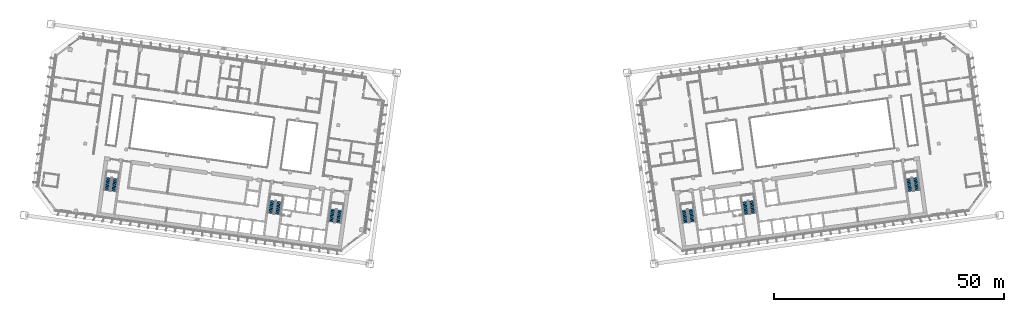
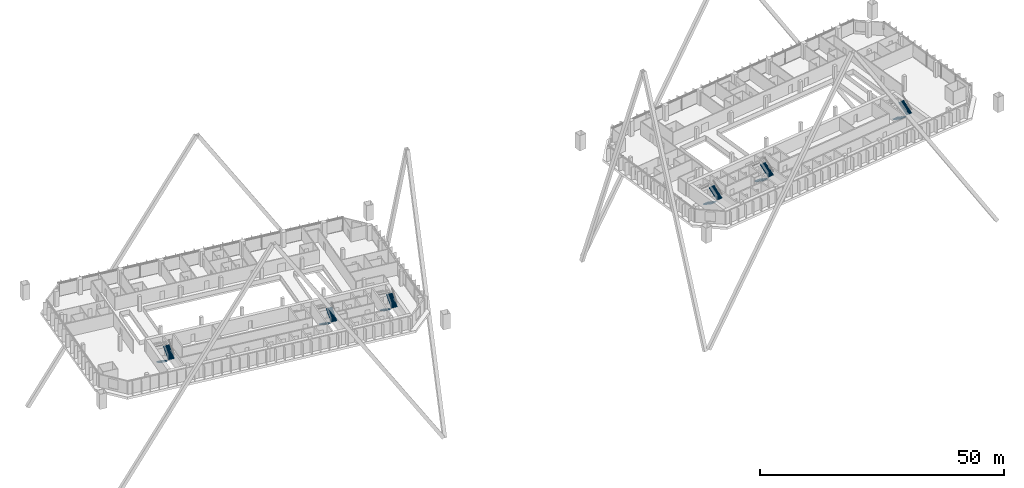
# One storey, part 38 of 41: 12 stair flights, 6 elements without a shape of their own.
"""IFC4 building model written with IfcOpenShell, lengths in metres."""

from ifc_helpers import new_model, si_unit, direction, frame, origin, place, context, subcontext, project, spatial, polyline, outline, extrude, material, type_object, element, aggregate, save


model = new_model("IFC4")

# Units and contexts
model_context = context("Model", 3, precision=1e-05, world=origin(), true_north=direction((0.0, 1.0)))
body_context = subcontext(model_context, "Body", "Model", "MODEL_VIEW")
ifc_project = project(units=[si_unit("LENGTHUNIT", "METRE"), si_unit("AREAUNIT", "SQUARE_METRE"), si_unit("VOLUMEUNIT", "CUBIC_METRE"), si_unit("PLANEANGLEUNIT", "RADIAN"), si_unit("MASSUNIT", "GRAM", prefix="KILO")], contexts=[model_context])

# Site, building, storey
site_placement = place(None, origin())
site = spatial("IfcSite", under=ifc_project, at=site_placement, CompositionType="ELEMENT")
building_placement = place(site_placement, origin())
building = spatial("IfcBuilding", under=site, at=building_placement, Name="Mirante Cascada Hotel Towers", CompositionType="ELEMENT")
storey_placement = place(building_placement, frame((0.0, 0.0, 125.3)))
storey = spatial("IfcBuildingStorey", under=building, at=storey_placement, Name="L28", CompositionType="ELEMENT", Elevation=125.3)

# Stair, stair flights
ifc_material_1 = material(Name="Concrete C35/45", Category="concrete")
stair_type = type_object("IfcStairType", Name="Exit stair half-turn 1350 concrete C35/45", PredefinedType="HALF_TURN_STAIR", material=ifc_material_1)
stair_1_placement = place(storey_placement, origin())
stair_1 = element("IfcStair", 1, at=stair_1_placement, inside=storey, type_object=stair_type, Name="L28 Exit stair A", PredefinedType="HALF_TURN_STAIR")
ifc_material_2 = material(Name="Concrete C35/45", Category="concrete")
stair_flight_type = type_object("IfcStairFlightType", Name="Exit stair flight 1350 concrete C35/45", PredefinedType="STRAIGHT", material=ifc_material_2)
stair_flight_1_placement = place(storey_placement, frame((-38.9417, -11.195, 0.0), z_axis=(0.0, 0.0, 1.0), x_axis=(-0.1391731, -0.9902681, 0.0)))
stair_flight_1 = element("IfcStairFlight", 2, at=stair_flight_1_placement, type_object=stair_flight_type, Name="ST1-A flight 1", NumberOfRisers=11, NumberOfTreads=10, PredefinedType="STRAIGHT", RiserHeight=0.172727273, TreadLength=0.28, context=body_context, shape_type="SweptSolid", body=[
    extrude(outline(polyline([(0.0, 0.0), (0.0, 0.1727), (0.28, 0.1727), (0.28, 0.3455), (0.56, 0.3455), (0.56, 0.5182), (0.84, 0.5182), (0.84, 0.6909), (1.12, 0.6909), (1.12, 0.8636), (1.4, 0.8636), (1.4, 1.0364), (1.68, 1.0364), (1.68, 1.2091), (1.96, 1.2091), (1.96, 1.3818), (2.24, 1.3818), (2.24, 1.5545), (2.52, 1.5545), (2.52, 1.7273), (2.8, 1.7273), (2.8, 1.9), (2.8, 1.551), (0.2857, 0.0), (0.0, 0.0)])), frame((0.0, 0.675, 0.0), z_axis=(0.0, -1.0, 0.0), x_axis=(1.0, 0.0, 0.0)), (0.0, 0.0, 1.0), 1.35),
])
stair_flight_2_placement = place(storey_placement, frame((-37.846, -14.1765, 1.9), z_axis=(0.0, 0.0, 1.0), x_axis=(0.1391731, 0.9902681, 0.0)))
stair_flight_2 = element("IfcStairFlight", 3, at=stair_flight_2_placement, type_object=stair_flight_type, Name="ST1-A flight 2", NumberOfRisers=11, NumberOfTreads=10, PredefinedType="STRAIGHT", RiserHeight=0.172727273, TreadLength=0.28, context=body_context, shape_type="SweptSolid", body=[
    extrude(outline(polyline([(0.0, 0.0), (0.0, 0.1727), (0.28, 0.1727), (0.28, 0.3455), (0.56, 0.3455), (0.56, 0.5182), (0.84, 0.5182), (0.84, 0.6909), (1.12, 0.6909), (1.12, 0.8636), (1.4, 0.8636), (1.4, 1.0364), (1.68, 1.0364), (1.68, 1.2091), (1.96, 1.2091), (1.96, 1.3818), (2.24, 1.3818), (2.24, 1.5545), (2.52, 1.5545), (2.52, 1.7273), (2.8, 1.7273), (2.8, 1.9), (2.8, 1.551), (0.2857, 0.0), (0.0, 0.0)])), frame((0.0, 0.675, 0.0), z_axis=(0.0, -1.0, 0.0), x_axis=(1.0, 0.0, 0.0)), (0.0, 0.0, 1.0), 1.35),
])
aggregate(stair_1, [stair_flight_1, stair_flight_2])

stair_2_placement = place(storey_placement, origin())
stair_2 = element("IfcStair", 4, at=stair_2_placement, inside=storey, type_object=stair_type, Name="L28 Exit stair B", PredefinedType="HALF_TURN_STAIR")
stair_flight_3_placement = place(storey_placement, frame((-52.1618, -9.3371, 0.0), z_axis=(0.0, 0.0, 1.0), x_axis=(-0.1391731, -0.9902681, 0.0)))
stair_flight_3 = element("IfcStairFlight", 5, at=stair_flight_3_placement, type_object=stair_flight_type, Name="ST1-B flight 1", NumberOfRisers=11, NumberOfTreads=10, PredefinedType="STRAIGHT", RiserHeight=0.172727273, TreadLength=0.28, context=body_context, shape_type="SweptSolid", body=[
    extrude(outline(polyline([(0.0, 0.0), (0.0, 0.1727), (0.28, 0.1727), (0.28, 0.3455), (0.56, 0.3455), (0.56, 0.5182), (0.84, 0.5182), (0.84, 0.6909), (1.12, 0.6909), (1.12, 0.8636), (1.4, 0.8636), (1.4, 1.0364), (1.68, 1.0364), (1.68, 1.2091), (1.96, 1.2091), (1.96, 1.3818), (2.24, 1.3818), (2.24, 1.5545), (2.52, 1.5545), (2.52, 1.7273), (2.8, 1.7273), (2.8, 1.9), (2.8, 1.551), (0.2857, 0.0), (0.0, 0.0)])), frame((0.0, 0.675, 0.0), z_axis=(0.0, -1.0, 0.0), x_axis=(1.0, 0.0, 0.0)), (0.0, 0.0, 1.0), 1.35),
])
stair_flight_4_placement = place(storey_placement, frame((-51.0661, -12.3186, 1.9), z_axis=(0.0, 0.0, 1.0), x_axis=(0.1391731, 0.9902681, 0.0)))
stair_flight_4 = element("IfcStairFlight", 6, at=stair_flight_4_placement, type_object=stair_flight_type, Name="ST1-B flight 2", NumberOfRisers=11, NumberOfTreads=10, PredefinedType="STRAIGHT", RiserHeight=0.172727273, TreadLength=0.28, context=body_context, shape_type="SweptSolid", body=[
    extrude(outline(polyline([(0.0, 0.0), (0.0, 0.1727), (0.28, 0.1727), (0.28, 0.3455), (0.56, 0.3455), (0.56, 0.5182), (0.84, 0.5182), (0.84, 0.6909), (1.12, 0.6909), (1.12, 0.8636), (1.4, 0.8636), (1.4, 1.0364), (1.68, 1.0364), (1.68, 1.2091), (1.96, 1.2091), (1.96, 1.3818), (2.24, 1.3818), (2.24, 1.5545), (2.52, 1.5545), (2.52, 1.7273), (2.8, 1.7273), (2.8, 1.9), (2.8, 1.551), (0.2857, 0.0), (0.0, 0.0)])), frame((0.0, 0.675, 0.0), z_axis=(0.0, -1.0, 0.0), x_axis=(1.0, 0.0, 0.0)), (0.0, 0.0, 1.0), 1.35),
])
aggregate(stair_2, [stair_flight_3, stair_flight_4])

stair_3_placement = place(storey_placement, origin())
stair_3 = element("IfcStair", 7, at=stair_3_placement, inside=storey, type_object=stair_type, Name="L28 Exit stair C", PredefinedType="HALF_TURN_STAIR")
stair_flight_5_placement = place(storey_placement, frame((-87.8115, -4.3268, 0.0), z_axis=(0.0, 0.0, 1.0), x_axis=(-0.1391731, -0.9902681, 0.0)))
stair_flight_5 = element("IfcStairFlight", 8, at=stair_flight_5_placement, type_object=stair_flight_type, Name="ST1-C flight 1", NumberOfRisers=11, NumberOfTreads=10, PredefinedType="STRAIGHT", RiserHeight=0.172727273, TreadLength=0.28, context=body_context, shape_type="SweptSolid", body=[
    extrude(outline(polyline([(0.0, 0.0), (0.0, 0.1727), (0.28, 0.1727), (0.28, 0.3455), (0.56, 0.3455), (0.56, 0.5182), (0.84, 0.5182), (0.84, 0.6909), (1.12, 0.6909), (1.12, 0.8636), (1.4, 0.8636), (1.4, 1.0364), (1.68, 1.0364), (1.68, 1.2091), (1.96, 1.2091), (1.96, 1.3818), (2.24, 1.3818), (2.24, 1.5545), (2.52, 1.5545), (2.52, 1.7273), (2.8, 1.7273), (2.8, 1.9), (2.8, 1.551), (0.2857, 0.0), (0.0, 0.0)])), frame((0.0, 0.675, 0.0), z_axis=(0.0, -1.0, 0.0), x_axis=(1.0, 0.0, 0.0)), (0.0, 0.0, 1.0), 1.35),
])
stair_flight_6_placement = place(storey_placement, frame((-86.7157, -7.3084, 1.9), z_axis=(0.0, 0.0, 1.0), x_axis=(0.1391731, 0.9902681, 0.0)))
stair_flight_6 = element("IfcStairFlight", 9, at=stair_flight_6_placement, type_object=stair_flight_type, Name="ST1-C flight 2", NumberOfRisers=11, NumberOfTreads=10, PredefinedType="STRAIGHT", RiserHeight=0.172727273, TreadLength=0.28, context=body_context, shape_type="SweptSolid", body=[
    extrude(outline(polyline([(0.0, 0.0), (0.0, 0.1727), (0.28, 0.1727), (0.28, 0.3455), (0.56, 0.3455), (0.56, 0.5182), (0.84, 0.5182), (0.84, 0.6909), (1.12, 0.6909), (1.12, 0.8636), (1.4, 0.8636), (1.4, 1.0364), (1.68, 1.0364), (1.68, 1.2091), (1.96, 1.2091), (1.96, 1.3818), (2.24, 1.3818), (2.24, 1.5545), (2.52, 1.5545), (2.52, 1.7273), (2.8, 1.7273), (2.8, 1.9), (2.8, 1.551), (0.2857, 0.0), (0.0, 0.0)])), frame((0.0, 0.675, 0.0), z_axis=(0.0, -1.0, 0.0), x_axis=(1.0, 0.0, 0.0)), (0.0, 0.0, 1.0), 1.35),
])
aggregate(stair_3, [stair_flight_5, stair_flight_6])

stair_4_placement = place(storey_placement, origin())
stair_4 = element("IfcStair", 10, at=stair_4_placement, inside=storey, type_object=stair_type, Name="L28 Exit stair A", PredefinedType="HALF_TURN_STAIR")
stair_flight_7_placement = place(storey_placement, frame((37.4563, -11.4038, 0.0), z_axis=(0.0, 0.0, 1.0), x_axis=(0.1391731, -0.9902681, 0.0)))
stair_flight_7 = element("IfcStairFlight", 11, at=stair_flight_7_placement, type_object=stair_flight_type, Name="ST2-A flight 1", NumberOfRisers=11, NumberOfTreads=10, PredefinedType="STRAIGHT", RiserHeight=0.172727273, TreadLength=0.28, context=body_context, shape_type="SweptSolid", body=[
    extrude(outline(polyline([(0.0, 0.0), (0.0, 0.1727), (0.28, 0.1727), (0.28, 0.3455), (0.56, 0.3455), (0.56, 0.5182), (0.84, 0.5182), (0.84, 0.6909), (1.12, 0.6909), (1.12, 0.8636), (1.4, 0.8636), (1.4, 1.0364), (1.68, 1.0364), (1.68, 1.2091), (1.96, 1.2091), (1.96, 1.3818), (2.24, 1.3818), (2.24, 1.5545), (2.52, 1.5545), (2.52, 1.7273), (2.8, 1.7273), (2.8, 1.9), (2.8, 1.551), (0.2857, 0.0), (0.0, 0.0)])), frame((0.0, 0.675, 0.0), z_axis=(0.0, -1.0, 0.0), x_axis=(1.0, 0.0, 0.0)), (0.0, 0.0, 1.0), 1.35),
])
stair_flight_8_placement = place(storey_placement, frame((39.3314, -13.9678, 1.9), z_axis=(0.0, 0.0, 1.0), x_axis=(-0.1391731, 0.9902681, 0.0)))
stair_flight_8 = element("IfcStairFlight", 12, at=stair_flight_8_placement, type_object=stair_flight_type, Name="ST2-A flight 2", NumberOfRisers=11, NumberOfTreads=10, PredefinedType="STRAIGHT", RiserHeight=0.172727273, TreadLength=0.28, context=body_context, shape_type="SweptSolid", body=[
    extrude(outline(polyline([(0.0, 0.0), (0.0, 0.1727), (0.28, 0.1727), (0.28, 0.3455), (0.56, 0.3455), (0.56, 0.5182), (0.84, 0.5182), (0.84, 0.6909), (1.12, 0.6909), (1.12, 0.8636), (1.4, 0.8636), (1.4, 1.0364), (1.68, 1.0364), (1.68, 1.2091), (1.96, 1.2091), (1.96, 1.3818), (2.24, 1.3818), (2.24, 1.5545), (2.52, 1.5545), (2.52, 1.7273), (2.8, 1.7273), (2.8, 1.9), (2.8, 1.551), (0.2857, 0.0), (0.0, 0.0)])), frame((0.0, 0.675, 0.0), z_axis=(0.0, -1.0, 0.0), x_axis=(1.0, 0.0, 0.0)), (0.0, 0.0, 1.0), 1.35),
])
aggregate(stair_4, [stair_flight_7, stair_flight_8])

stair_5_placement = place(storey_placement, origin())
stair_5 = element("IfcStair", 13, at=stair_5_placement, inside=storey, type_object=stair_type, Name="L28 Exit stair B", PredefinedType="HALF_TURN_STAIR")
stair_flight_9_placement = place(storey_placement, frame((50.6764, -9.5458, 0.0), z_axis=(0.0, 0.0, 1.0), x_axis=(0.1391731, -0.9902681, 0.0)))
stair_flight_9 = element("IfcStairFlight", 14, at=stair_flight_9_placement, type_object=stair_flight_type, Name="ST2-B flight 1", NumberOfRisers=11, NumberOfTreads=10, PredefinedType="STRAIGHT", RiserHeight=0.172727273, TreadLength=0.28, context=body_context, shape_type="SweptSolid", body=[
    extrude(outline(polyline([(0.0, 0.0), (0.0, 0.1727), (0.28, 0.1727), (0.28, 0.3455), (0.56, 0.3455), (0.56, 0.5182), (0.84, 0.5182), (0.84, 0.6909), (1.12, 0.6909), (1.12, 0.8636), (1.4, 0.8636), (1.4, 1.0364), (1.68, 1.0364), (1.68, 1.2091), (1.96, 1.2091), (1.96, 1.3818), (2.24, 1.3818), (2.24, 1.5545), (2.52, 1.5545), (2.52, 1.7273), (2.8, 1.7273), (2.8, 1.9), (2.8, 1.551), (0.2857, 0.0), (0.0, 0.0)])), frame((0.0, 0.675, 0.0), z_axis=(0.0, -1.0, 0.0), x_axis=(1.0, 0.0, 0.0)), (0.0, 0.0, 1.0), 1.35),
])
stair_flight_10_placement = place(storey_placement, frame((52.5515, -12.1098, 1.9), z_axis=(0.0, 0.0, 1.0), x_axis=(-0.1391731, 0.9902681, 0.0)))
stair_flight_10 = element("IfcStairFlight", 15, at=stair_flight_10_placement, type_object=stair_flight_type, Name="ST2-B flight 2", NumberOfRisers=11, NumberOfTreads=10, PredefinedType="STRAIGHT", RiserHeight=0.172727273, TreadLength=0.28, context=body_context, shape_type="SweptSolid", body=[
    extrude(outline(polyline([(0.0, 0.0), (0.0, 0.1727), (0.28, 0.1727), (0.28, 0.3455), (0.56, 0.3455), (0.56, 0.5182), (0.84, 0.5182), (0.84, 0.6909), (1.12, 0.6909), (1.12, 0.8636), (1.4, 0.8636), (1.4, 1.0364), (1.68, 1.0364), (1.68, 1.2091), (1.96, 1.2091), (1.96, 1.3818), (2.24, 1.3818), (2.24, 1.5545), (2.52, 1.5545), (2.52, 1.7273), (2.8, 1.7273), (2.8, 1.9), (2.8, 1.551), (0.2857, 0.0), (0.0, 0.0)])), frame((0.0, 0.675, 0.0), z_axis=(0.0, -1.0, 0.0), x_axis=(1.0, 0.0, 0.0)), (0.0, 0.0, 1.0), 1.35),
])
aggregate(stair_5, [stair_flight_9, stair_flight_10])

stair_6_placement = place(storey_placement, origin())
stair_6 = element("IfcStair", 16, at=stair_6_placement, inside=storey, type_object=stair_type, Name="L28 Exit stair C", PredefinedType="HALF_TURN_STAIR")
stair_flight_11_placement = place(storey_placement, frame((86.326, -4.5356, 0.0), z_axis=(0.0, 0.0, 1.0), x_axis=(0.1391731, -0.9902681, 0.0)))
stair_flight_11 = element("IfcStairFlight", 17, at=stair_flight_11_placement, type_object=stair_flight_type, Name="ST2-C flight 1", NumberOfRisers=11, NumberOfTreads=10, PredefinedType="STRAIGHT", RiserHeight=0.172727273, TreadLength=0.28, context=body_context, shape_type="SweptSolid", body=[
    extrude(outline(polyline([(0.0, 0.0), (0.0, 0.1727), (0.28, 0.1727), (0.28, 0.3455), (0.56, 0.3455), (0.56, 0.5182), (0.84, 0.5182), (0.84, 0.6909), (1.12, 0.6909), (1.12, 0.8636), (1.4, 0.8636), (1.4, 1.0364), (1.68, 1.0364), (1.68, 1.2091), (1.96, 1.2091), (1.96, 1.3818), (2.24, 1.3818), (2.24, 1.5545), (2.52, 1.5545), (2.52, 1.7273), (2.8, 1.7273), (2.8, 1.9), (2.8, 1.551), (0.2857, 0.0), (0.0, 0.0)])), frame((0.0, 0.675, 0.0), z_axis=(0.0, -1.0, 0.0), x_axis=(1.0, 0.0, 0.0)), (0.0, 0.0, 1.0), 1.35),
])
stair_flight_12_placement = place(storey_placement, frame((88.2011, -7.0996, 1.9), z_axis=(0.0, 0.0, 1.0), x_axis=(-0.1391731, 0.9902681, 0.0)))
stair_flight_12 = element("IfcStairFlight", 18, at=stair_flight_12_placement, type_object=stair_flight_type, Name="ST2-C flight 2", NumberOfRisers=11, NumberOfTreads=10, PredefinedType="STRAIGHT", RiserHeight=0.172727273, TreadLength=0.28, context=body_context, shape_type="SweptSolid", body=[
    extrude(outline(polyline([(0.0, 0.0), (0.0, 0.1727), (0.28, 0.1727), (0.28, 0.3455), (0.56, 0.3455), (0.56, 0.5182), (0.84, 0.5182), (0.84, 0.6909), (1.12, 0.6909), (1.12, 0.8636), (1.4, 0.8636), (1.4, 1.0364), (1.68, 1.0364), (1.68, 1.2091), (1.96, 1.2091), (1.96, 1.3818), (2.24, 1.3818), (2.24, 1.5545), (2.52, 1.5545), (2.52, 1.7273), (2.8, 1.7273), (2.8, 1.9), (2.8, 1.551), (0.2857, 0.0), (0.0, 0.0)])), frame((0.0, 0.675, 0.0), z_axis=(0.0, -1.0, 0.0), x_axis=(1.0, 0.0, 0.0)), (0.0, 0.0, 1.0), 1.35),
])
aggregate(stair_6, [stair_flight_11, stair_flight_12])

save(model, "model.ifc")
